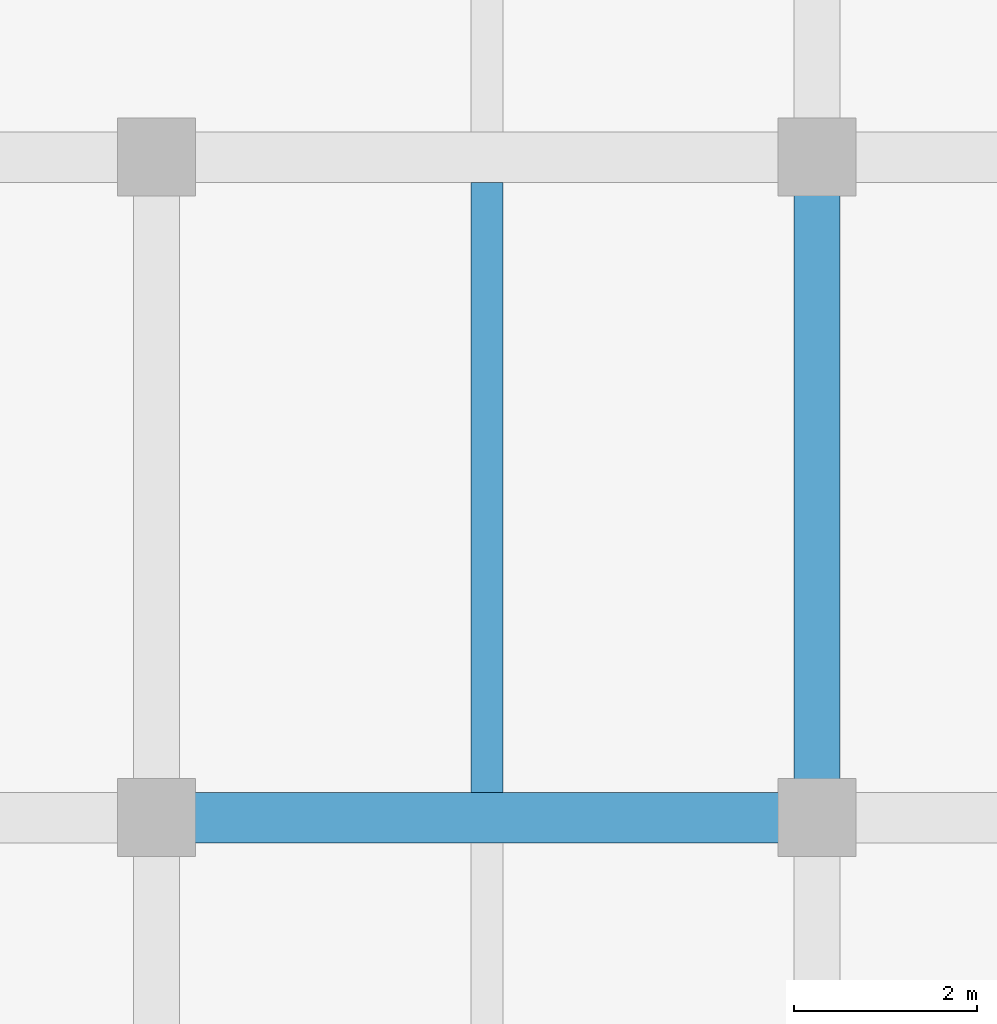
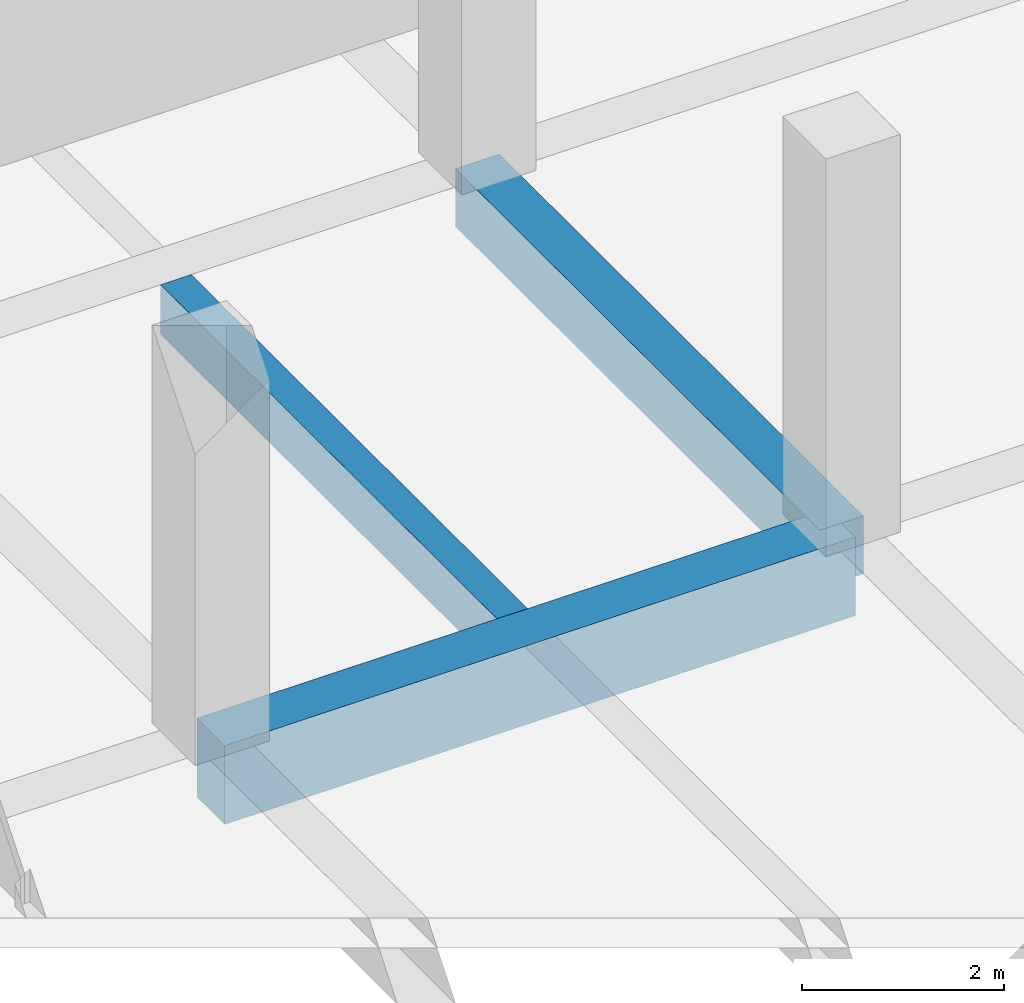
# One storey, part 120 of 181: 3 beams.
"""IFC4 building model written with IfcOpenShell, lengths in metres."""

from ifc_helpers import new_model, si_unit, direction, frame, origin, origin_2d, place, context, subcontext, project, spatial, rectangle, extrude, material, material_profile, profile_set, type_object, element, save


model = new_model("IFC4")

# Units and contexts
model_context = context("Model", 3, precision=1e-05, world=origin(), true_north=direction((0.0, 1.0)))
body_context = subcontext(model_context, "Body", "Model", "MODEL_VIEW")
ifc_project = project(units=[si_unit("LENGTHUNIT", "METRE"), si_unit("AREAUNIT", "SQUARE_METRE"), si_unit("VOLUMEUNIT", "CUBIC_METRE"), si_unit("PLANEANGLEUNIT", "RADIAN"), si_unit("MASSUNIT", "GRAM", prefix="KILO")], contexts=[model_context])

# Site, building, storey
site_placement = place(None, origin())
site = spatial("IfcSite", under=ifc_project, at=site_placement, CompositionType="ELEMENT")
building_placement = place(site_placement, origin())
building = spatial("IfcBuilding", under=site, at=building_placement, Name="Seraya Terrace Polytechnic", CompositionType="ELEMENT")
storey_placement = place(building_placement, frame((0.0, 0.0, 4.800048828125)))
storey = spatial("IfcBuildingStorey", under=building, at=storey_placement, Name="L01", CompositionType="ELEMENT", Elevation=4.800048828125)

# Beams
ifc_material = material(Name="Concrete C40/50", Category="concrete")
ifc_material_profile_1 = material_profile(ifc_material, rectangle(XDim=0.550048828125, YDim=0.949951171875, at=origin_2d()), Name="RC 550x950")
ifc_profile_set_1 = profile_set([ifc_material_profile_1], Name="Concrete C40/50")
beam_type_1 = type_object("IfcBeamType", Name="BM-03", PredefinedType="BEAM", material=ifc_profile_set_1)
beam_1_placement = place(storey_placement, frame((151.199951171875, 50.39990234375, -0.47509765625), z_axis=(1.0, 0.0, 0.0), x_axis=(0.0, 1.0, 0.0)))
element("IfcBeam", 1, at=beam_1_placement, inside=storey, type_object=beam_type_1, Name="Beam BM-03 L01 X (151.2..158.4, 50.4)", PredefinedType="BEAM", context=body_context, shape_type="SweptSolid", body=[
    extrude(rectangle(XDim=0.550048828125, YDim=0.949951171875, at=origin_2d()), origin(), (0.0, 0.0, 1.0), 7.199951171875),
])
ifc_material_profile_2 = material_profile(ifc_material, rectangle(XDim=0.5, YDim=0.699951171875, at=origin_2d()), Name="RC 500x700")
ifc_profile_set_2 = profile_set([ifc_material_profile_2], Name="Concrete C40/50")
beam_type_2 = type_object("IfcBeamType", Name="BM-07", PredefinedType="BEAM", material=ifc_profile_set_2)
beam_2_placement = place(storey_placement, frame((158.39990234375, 50.39990234375, -0.35009765625), z_axis=(0.0, 1.0, 0.0), x_axis=(-1.0, 0.0, 0.0)))
element("IfcBeam", 2, at=beam_2_placement, inside=storey, type_object=beam_type_2, Name="Beam BM-07 L01 Y (158.4, 50.4..57.6)", PredefinedType="BEAM", context=body_context, shape_type="SweptSolid", body=[
    extrude(rectangle(XDim=0.5, YDim=0.699951171875, at=origin_2d()), origin(), (0.0, 0.0, 1.0), 7.2001953125),
])
ifc_material_profile_3 = material_profile(ifc_material, rectangle(XDim=0.35009765625, YDim=0.60009765625, at=origin_2d()), Name="RC 350x600")
ifc_profile_set_3 = profile_set([ifc_material_profile_3], Name="Concrete C40/50")
beam_type_3 = type_object("IfcBeamType", Name="JS-02", PredefinedType="JOIST", material=ifc_profile_set_3)
beam_3_placement = place(storey_placement, frame((154.800048828125, 50.675048828125, -0.300048828125), z_axis=(0.0, 1.0, 0.0), x_axis=(-1.0, 0.0, 0.0)))
element("IfcBeam", 3, at=beam_3_placement, inside=storey, type_object=beam_type_3, Name="Secondary joist JS-02 L01", PredefinedType="JOIST", context=body_context, shape_type="SweptSolid", body=[
    extrude(rectangle(XDim=0.35009765625, YDim=0.60009765625, at=origin_2d()), origin(), (0.0, 0.0, 1.0), 6.64990234375),
])

save(model, "model.ifc")
